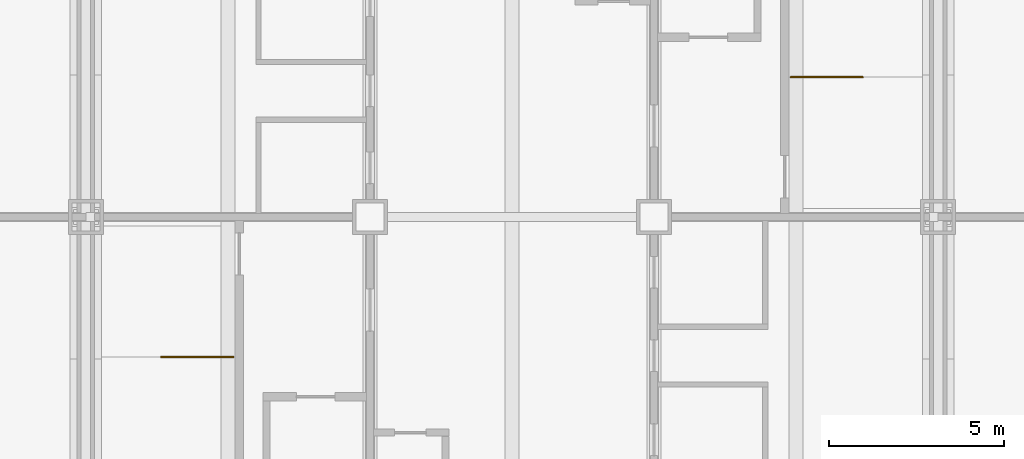
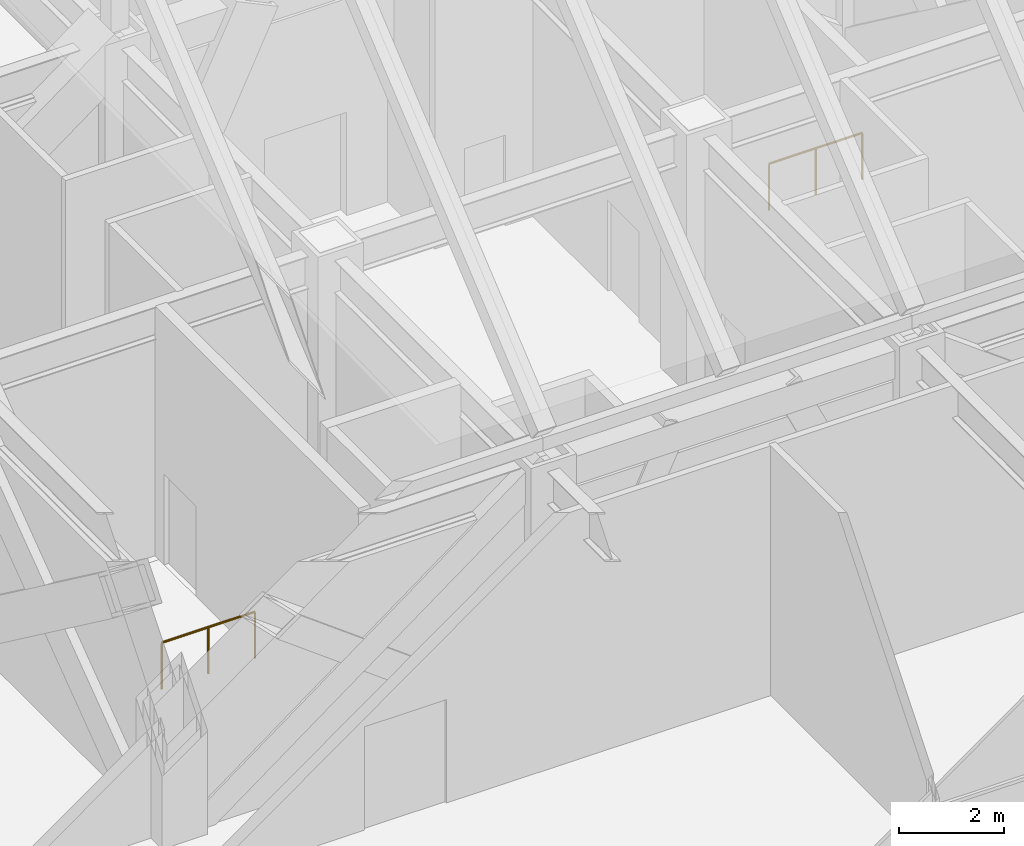
# One storey, part 22 of 22: 2 railings.
"""IFC4 building model written with IfcOpenShell, lengths in metres."""

from ifc_helpers import new_model, si_unit, direction, frame, origin, origin_2d, place, context, subcontext, project, spatial, circle, extrude, material, type_object, element, save


model = new_model("IFC4")

# Units and contexts
model_context = context("Model", 3, precision=1e-05, world=origin(), true_north=direction((0.0, 1.0)))
body_context = subcontext(model_context, "Body", "Model", "MODEL_VIEW")
ifc_project = project(units=[si_unit("LENGTHUNIT", "METRE"), si_unit("AREAUNIT", "SQUARE_METRE"), si_unit("VOLUMEUNIT", "CUBIC_METRE"), si_unit("PLANEANGLEUNIT", "RADIAN"), si_unit("MASSUNIT", "GRAM", prefix="KILO")], contexts=[model_context])

# Site, building, storey
site_placement = place(None, origin())
site = spatial("IfcSite", under=ifc_project, at=site_placement, CompositionType="ELEMENT")
building_placement = place(site_placement, origin())
building = spatial("IfcBuilding", under=site, at=building_placement, Name="Kopane Lantern Tower", CompositionType="ELEMENT")
storey_placement = place(building_placement, frame((0.0, 0.0, 303.89990234375)))
storey = spatial("IfcBuildingStorey", under=building, at=storey_placement, Name="L77", CompositionType="ELEMENT", Elevation=303.89990234375)

# Railings
ifc_material = material(Name="Steel", Category="steel")
railing_type = type_object("IfcRailingType", Name="STAIR GUARD 1100", PredefinedType="GUARDRAIL", material=ifc_material)
railing_1_placement = place(storey_placement, frame((18.35009765625, 28.409912109375, 0.0)))
element("IfcRailing", 1, at=railing_1_placement, inside=storey, type_object=railing_type, Name="ST1 guard L77", PredefinedType="GUARDRAIL", context=body_context, shape_type="SweptSolid", body=[
    extrude(circle(Radius=0.02392578125, at=origin_2d()), frame((0.0, 0.0, 1.076171875), z_axis=(1.0, 0.0, 0.0), x_axis=(0.0, 1.0, 0.0)), (0.0, 0.0, 1.0), 2.0498046875),
    extrude(circle(Radius=0.02099609375, at=origin_2d()), origin(), (0.0, 0.0, 1.0), 1.052001953125),
    extrude(circle(Radius=0.02099609375, at=origin_2d()), frame((1.02490234375, 0.0, 0.0)), (0.0, 0.0, 1.0), 1.052001953125),
    extrude(circle(Radius=0.02099609375, at=origin_2d()), frame((2.0498046875, 0.0, 0.0)), (0.0, 0.0, 1.0), 1.052001953125),
])
railing_2_placement = place(storey_placement, frame((38.35009765625, 36.389892578125, 0.0)))
element("IfcRailing", 2, at=railing_2_placement, inside=storey, type_object=railing_type, Name="ST2 guard L77", PredefinedType="GUARDRAIL", context=body_context, shape_type="SweptSolid", body=[
    extrude(circle(Radius=0.02392578125, at=origin_2d()), frame((0.0, 0.0, 1.076171875), z_axis=(-1.0, 0.0, 0.0), x_axis=(0.0, -1.0, 0.0)), (0.0, 0.0, 1.0), 2.050048828125),
    extrude(circle(Radius=0.02099609375, at=origin_2d()), origin(), (0.0, 0.0, 1.0), 1.052001953125),
    extrude(circle(Radius=0.02099609375, at=origin_2d()), frame((-1.02490234375, 0.0, 0.0)), (0.0, 0.0, 1.0), 1.052001953125),
    extrude(circle(Radius=0.02099609375, at=origin_2d()), frame((-2.050048828125, 0.0, 0.0)), (0.0, 0.0, 1.0), 1.052001953125),
])

save(model, "model.ifc")
